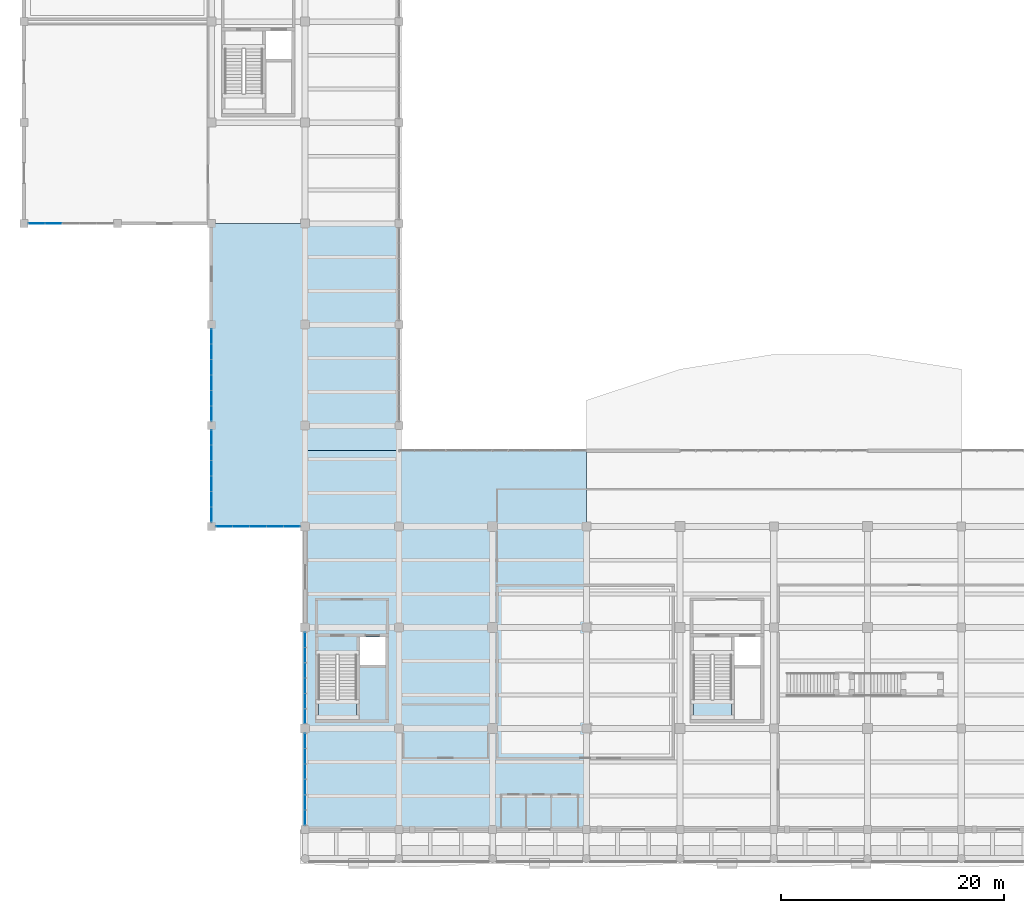
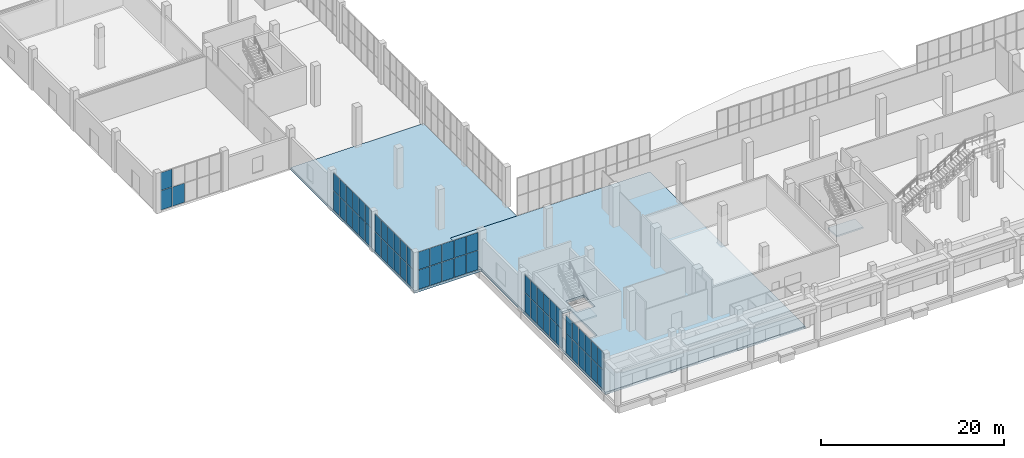
# One storey, part 62 of 91: 61 plates, 4 slabs, 8 elements without a shape of their own.
"""IFC4 building model written with IfcOpenShell, lengths in metres."""

from ifc_helpers import new_model, si_unit, direction, frame, origin, origin_2d, place, context, subcontext, project, spatial, polyline, rectangle, outline, extrude, material, layer, layer_set, type_object, element, aggregate, save


model = new_model("IFC4")

# Units and contexts
model_context = context("Model", 3, precision=1e-05, world=origin(), true_north=direction((0.0, 1.0)))
body_context = subcontext(model_context, "Body", "Model", "MODEL_VIEW")
ifc_project = project(units=[si_unit("LENGTHUNIT", "METRE"), si_unit("AREAUNIT", "SQUARE_METRE"), si_unit("VOLUMEUNIT", "CUBIC_METRE"), si_unit("PLANEANGLEUNIT", "RADIAN"), si_unit("MASSUNIT", "GRAM", prefix="KILO")], contexts=[model_context])

# Site, building, storey
site_placement = place(None, origin())
site = spatial("IfcSite", under=ifc_project, at=site_placement, CompositionType="ELEMENT")
building_placement = place(site_placement, origin())
building = spatial("IfcBuilding", under=site, at=building_placement, Name="Khurvash Pelagic Aquarium", CompositionType="ELEMENT")
storey_placement = place(building_placement, origin())
storey = spatial("IfcBuildingStorey", under=building, at=storey_placement, Name="L00", CompositionType="ELEMENT", Elevation=0.0)

# Curtain wall, plates
ifc_material_1 = material(Name="Anodised aluminium and low-E laminated glass", Category="aluminium")
curtain_wall_type_1 = type_object("IfcCurtainWallType", Name="CW-02", PredefinedType="USERDEFINED", material=ifc_material_1)
curtain_wall_1_placement = place(storey_placement, origin())
curtain_wall_1 = element("IfcCurtainWall", 1, at=curtain_wall_1_placement, inside=storey, type_object=curtain_wall_type_1, Name="L00 Facade Unitised Curtain Wall CW-02 0071", ObjectType="UNITISED CURTAIN WALL", PredefinedType="USERDEFINED")
ifc_material_2 = material(Name="Low-E laminated double glazing", Category="glass")
ifc_layer_1 = layer(ifc_material_2, 0.031982421875)
ifc_layer_set_1 = layer_set([ifc_layer_1], Name="Low-E laminated double glazing")
plate_type_1 = type_object("IfcPlateType", Name="CG-02", PredefinedType="CURTAIN_PANEL", material=ifc_layer_set_1)
plate_1_placement = place(storey_placement, frame((1.138916015625, 56.89990234375, 0.06005859375), z_axis=(0.0, 0.0, 1.0), x_axis=(1.0, 0.0, 0.0)))
plate_1 = element("IfcPlate", 2, at=plate_1_placement, type_object=plate_type_1, Name="CW-02 panel 1.1", PredefinedType="CURTAIN_PANEL", context=body_context, shape_type="SweptSolid", body=[
    extrude(rectangle(XDim=1.447998046875, YDim=0.031982421875, at=origin_2d()), origin(), (0.0, 0.0, 1.0), 2.556884765625),
])
plate_2_placement = place(storey_placement, frame((1.138916015625, 56.89990234375, 2.677001953125), z_axis=(0.0, 0.0, 1.0), x_axis=(1.0, 0.0, 0.0)))
plate_2 = element("IfcPlate", 3, at=plate_2_placement, type_object=plate_type_1, Name="CW-02 panel 1.2", PredefinedType="CURTAIN_PANEL", context=body_context, shape_type="SweptSolid", body=[
    extrude(rectangle(XDim=1.447998046875, YDim=0.031982421875, at=origin_2d()), origin(), (0.0, 0.0, 1.0), 2.35302734375),
])
plate_3_placement = place(storey_placement, frame((2.662109375, 56.89990234375, 0.06005859375), z_axis=(0.0, 0.0, 1.0), x_axis=(1.0, 0.0, 0.0)))
plate_3 = element("IfcPlate", 4, at=plate_3_placement, type_object=plate_type_1, Name="CW-02 panel 2.1", PredefinedType="CURTAIN_PANEL", context=body_context, shape_type="SweptSolid", body=[
    extrude(rectangle(XDim=1.47802734375, YDim=0.031982421875, at=origin_2d()), origin(), (0.0, 0.0, 1.0), 2.556884765625),
])
aggregate(curtain_wall_1, [plate_1, plate_2, plate_3])

curtain_wall_2_placement = place(storey_placement, origin())
curtain_wall_2 = element("IfcCurtainWall", 5, at=curtain_wall_2_placement, inside=storey, type_object=curtain_wall_type_1, Name="L00 Facade Unitised Curtain Wall CW-02 0074", ObjectType="UNITISED CURTAIN WALL", PredefinedType="USERDEFINED")
plate_4_placement = place(storey_placement, frame((17.93408203125, 29.75, 0.06005859375), z_axis=(0.0, 0.0, 1.0), x_axis=(1.0, 0.0, 0.0)))
plate_4 = element("IfcPlate", 6, at=plate_4_placement, type_object=plate_type_1, Name="CW-02 panel 1.1", PredefinedType="CURTAIN_PANEL", context=body_context, shape_type="SweptSolid", body=[
    extrude(rectangle(XDim=1.43798828125, YDim=0.031982421875, at=origin_2d()), origin(), (0.0, 0.0, 1.0), 2.556884765625),
])
plate_5_placement = place(storey_placement, frame((17.93408203125, 29.75, 2.677001953125), z_axis=(0.0, 0.0, 1.0), x_axis=(1.0, 0.0, 0.0)))
plate_5 = element("IfcPlate", 7, at=plate_5_placement, type_object=plate_type_1, Name="CW-02 panel 1.2", PredefinedType="CURTAIN_PANEL", context=body_context, shape_type="SweptSolid", body=[
    extrude(rectangle(XDim=1.43798828125, YDim=0.031982421875, at=origin_2d()), origin(), (0.0, 0.0, 1.0), 2.35302734375),
])
plate_6_placement = place(storey_placement, frame((19.447021484375, 29.75, 0.06005859375), z_axis=(0.0, 0.0, 1.0), x_axis=(1.0, 0.0, 0.0)))
plate_6 = element("IfcPlate", 8, at=plate_6_placement, type_object=plate_type_1, Name="CW-02 panel 2.1", PredefinedType="CURTAIN_PANEL", context=body_context, shape_type="SweptSolid", body=[
    extrude(rectangle(XDim=1.468017578125, YDim=0.031982421875, at=origin_2d()), origin(), (0.0, 0.0, 1.0), 2.556884765625),
])
plate_7_placement = place(storey_placement, frame((19.447021484375, 29.75, 2.677001953125), z_axis=(0.0, 0.0, 1.0), x_axis=(1.0, 0.0, 0.0)))
plate_7 = element("IfcPlate", 9, at=plate_7_placement, type_object=plate_type_1, Name="CW-02 panel 2.2", PredefinedType="CURTAIN_PANEL", context=body_context, shape_type="SweptSolid", body=[
    extrude(rectangle(XDim=1.468017578125, YDim=0.031982421875, at=origin_2d()), origin(), (0.0, 0.0, 1.0), 2.35302734375),
])
plate_8_placement = place(storey_placement, frame((20.97509765625, 29.75, 0.06005859375), z_axis=(0.0, 0.0, 1.0), x_axis=(1.0, 0.0, 0.0)))
plate_8 = element("IfcPlate", 10, at=plate_8_placement, type_object=plate_type_1, Name="CW-02 panel 3.1", PredefinedType="CURTAIN_PANEL", context=body_context, shape_type="SweptSolid", body=[
    extrude(rectangle(XDim=1.468017578125, YDim=0.031982421875, at=origin_2d()), origin(), (0.0, 0.0, 1.0), 2.556884765625),
])
plate_9_placement = place(storey_placement, frame((20.97509765625, 29.75, 2.677001953125), z_axis=(0.0, 0.0, 1.0), x_axis=(1.0, 0.0, 0.0)))
plate_9 = element("IfcPlate", 11, at=plate_9_placement, type_object=plate_type_1, Name="CW-02 panel 3.2", PredefinedType="CURTAIN_PANEL", context=body_context, shape_type="SweptSolid", body=[
    extrude(rectangle(XDim=1.468017578125, YDim=0.031982421875, at=origin_2d()), origin(), (0.0, 0.0, 1.0), 2.35302734375),
])
plate_10_placement = place(storey_placement, frame((22.5029296875, 29.75, 0.06005859375), z_axis=(0.0, 0.0, 1.0), x_axis=(1.0, 0.0, 0.0)))
plate_10 = element("IfcPlate", 12, at=plate_10_placement, type_object=plate_type_1, Name="CW-02 panel 4.1", PredefinedType="CURTAIN_PANEL", context=body_context, shape_type="SweptSolid", body=[
    extrude(rectangle(XDim=1.468017578125, YDim=0.031982421875, at=origin_2d()), origin(), (0.0, 0.0, 1.0), 2.556884765625),
])
plate_11_placement = place(storey_placement, frame((22.5029296875, 29.75, 2.677001953125), z_axis=(0.0, 0.0, 1.0), x_axis=(1.0, 0.0, 0.0)))
plate_11 = element("IfcPlate", 13, at=plate_11_placement, type_object=plate_type_1, Name="CW-02 panel 4.2", PredefinedType="CURTAIN_PANEL", context=body_context, shape_type="SweptSolid", body=[
    extrude(rectangle(XDim=1.468017578125, YDim=0.031982421875, at=origin_2d()), origin(), (0.0, 0.0, 1.0), 2.35302734375),
])
plate_12_placement = place(storey_placement, frame((24.01611328125, 29.75, 0.06005859375), z_axis=(0.0, 0.0, 1.0), x_axis=(1.0, 0.0, 0.0)))
plate_12 = element("IfcPlate", 14, at=plate_12_placement, type_object=plate_type_1, Name="CW-02 panel 5.1", PredefinedType="CURTAIN_PANEL", context=body_context, shape_type="SweptSolid", body=[
    extrude(rectangle(XDim=1.43798828125, YDim=0.031982421875, at=origin_2d()), origin(), (0.0, 0.0, 1.0), 2.556884765625),
])
plate_13_placement = place(storey_placement, frame((24.01611328125, 29.75, 2.677001953125), z_axis=(0.0, 0.0, 1.0), x_axis=(1.0, 0.0, 0.0)))
plate_13 = element("IfcPlate", 15, at=plate_13_placement, type_object=plate_type_1, Name="CW-02 panel 5.2", PredefinedType="CURTAIN_PANEL", context=body_context, shape_type="SweptSolid", body=[
    extrude(rectangle(XDim=1.43798828125, YDim=0.031982421875, at=origin_2d()), origin(), (0.0, 0.0, 1.0), 2.35302734375),
])
aggregate(curtain_wall_2, [plate_4, plate_5, plate_6, plate_7, plate_8, plate_9, plate_10, plate_11, plate_12, plate_13])

curtain_wall_type_2 = type_object("IfcCurtainWallType", Name="CW-05", PredefinedType="USERDEFINED", material=ifc_material_1)
curtain_wall_3_placement = place(storey_placement, origin())
curtain_wall_3 = element("IfcCurtainWall", 16, at=curtain_wall_3_placement, inside=storey, type_object=curtain_wall_type_2, Name="L00 Facade Unitised Curtain Wall CW-05 0057", ObjectType="UNITISED CURTAIN WALL", PredefinedType="USERDEFINED")
ifc_layer_2 = layer(ifc_material_2, 0.033935546875)
ifc_layer_set_2 = layer_set([ifc_layer_2], Name="Low-E laminated double glazing")
plate_type_2 = type_object("IfcPlateType", Name="CG-05", PredefinedType="CURTAIN_PANEL", material=ifc_layer_set_2)
plate_14_placement = place(storey_placement, frame((25.199951171875, 19.59326171875, 0.06005859375), z_axis=(0.0, 0.0, 1.0), x_axis=(0.0, -1.0, 0.0)))
plate_14 = element("IfcPlate", 17, at=plate_14_placement, type_object=plate_type_2, Name="CW-05 panel 1.1", PredefinedType="CURTAIN_PANEL", context=body_context, shape_type="SweptSolid", body=[
    extrude(rectangle(XDim=1.283447265625, YDim=0.033935546875, at=origin_2d()), origin(), (0.0, 0.0, 1.0), 2.556884765625),
])
plate_15_placement = place(storey_placement, frame((25.199951171875, 19.59326171875, 2.677001953125), z_axis=(0.0, 0.0, 1.0), x_axis=(0.0, -1.0, 0.0)))
plate_15 = element("IfcPlate", 18, at=plate_15_placement, type_object=plate_type_2, Name="CW-05 panel 1.2", PredefinedType="CURTAIN_PANEL", context=body_context, shape_type="SweptSolid", body=[
    extrude(rectangle(XDim=1.283447265625, YDim=0.033935546875, at=origin_2d()), origin(), (0.0, 0.0, 1.0), 2.35302734375),
])
plate_16_placement = place(storey_placement, frame((25.199951171875, 18.235107421875, 0.06005859375), z_axis=(0.0, 0.0, 1.0), x_axis=(0.0, -1.0, 0.0)))
plate_16 = element("IfcPlate", 19, at=plate_16_placement, type_object=plate_type_2, Name="CW-05 panel 2.1", PredefinedType="CURTAIN_PANEL", context=body_context, shape_type="SweptSolid", body=[
    extrude(rectangle(XDim=1.313232421875, YDim=0.033935546875, at=origin_2d()), origin(), (0.0, 0.0, 1.0), 2.556884765625),
])
plate_17_placement = place(storey_placement, frame((25.199951171875, 18.235107421875, 2.677001953125), z_axis=(0.0, 0.0, 1.0), x_axis=(0.0, -1.0, 0.0)))
plate_17 = element("IfcPlate", 20, at=plate_17_placement, type_object=plate_type_2, Name="CW-05 panel 2.2", PredefinedType="CURTAIN_PANEL", context=body_context, shape_type="SweptSolid", body=[
    extrude(rectangle(XDim=1.313232421875, YDim=0.033935546875, at=origin_2d()), origin(), (0.0, 0.0, 1.0), 2.35302734375),
])
plate_18_placement = place(storey_placement, frame((25.199951171875, 16.861572265625, 0.06005859375), z_axis=(0.0, 0.0, 1.0), x_axis=(0.0, -1.0, 0.0)))
plate_18 = element("IfcPlate", 21, at=plate_18_placement, type_object=plate_type_2, Name="CW-05 panel 3.1", PredefinedType="CURTAIN_PANEL", context=body_context, shape_type="SweptSolid", body=[
    extrude(rectangle(XDim=1.313232421875, YDim=0.033935546875, at=origin_2d()), origin(), (0.0, 0.0, 1.0), 2.556884765625),
])
plate_19_placement = place(storey_placement, frame((25.199951171875, 16.861572265625, 2.677001953125), z_axis=(0.0, 0.0, 1.0), x_axis=(0.0, -1.0, 0.0)))
plate_19 = element("IfcPlate", 22, at=plate_19_placement, type_object=plate_type_2, Name="CW-05 panel 3.2", PredefinedType="CURTAIN_PANEL", context=body_context, shape_type="SweptSolid", body=[
    extrude(rectangle(XDim=1.313232421875, YDim=0.033935546875, at=origin_2d()), origin(), (0.0, 0.0, 1.0), 2.35302734375),
])
plate_20_placement = place(storey_placement, frame((25.199951171875, 15.48828125, 0.06005859375), z_axis=(0.0, 0.0, 1.0), x_axis=(0.0, -1.0, 0.0)))
plate_20 = element("IfcPlate", 23, at=plate_20_placement, type_object=plate_type_2, Name="CW-05 panel 4.1", PredefinedType="CURTAIN_PANEL", context=body_context, shape_type="SweptSolid", body=[
    extrude(rectangle(XDim=1.313232421875, YDim=0.033935546875, at=origin_2d()), origin(), (0.0, 0.0, 1.0), 2.556884765625),
])
plate_21_placement = place(storey_placement, frame((25.199951171875, 15.48828125, 2.677001953125), z_axis=(0.0, 0.0, 1.0), x_axis=(0.0, -1.0, 0.0)))
plate_21 = element("IfcPlate", 24, at=plate_21_placement, type_object=plate_type_2, Name="CW-05 panel 4.2", PredefinedType="CURTAIN_PANEL", context=body_context, shape_type="SweptSolid", body=[
    extrude(rectangle(XDim=1.313232421875, YDim=0.033935546875, at=origin_2d()), origin(), (0.0, 0.0, 1.0), 2.35302734375),
])
plate_22_placement = place(storey_placement, frame((25.199951171875, 14.114990234375, 0.06005859375), z_axis=(0.0, 0.0, 1.0), x_axis=(0.0, -1.0, 0.0)))
plate_22 = element("IfcPlate", 25, at=plate_22_placement, type_object=plate_type_2, Name="CW-05 panel 5.1", PredefinedType="CURTAIN_PANEL", context=body_context, shape_type="SweptSolid", body=[
    extrude(rectangle(XDim=1.313232421875, YDim=0.033935546875, at=origin_2d()), origin(), (0.0, 0.0, 1.0), 2.556884765625),
])
plate_23_placement = place(storey_placement, frame((25.199951171875, 14.114990234375, 2.677001953125), z_axis=(0.0, 0.0, 1.0), x_axis=(0.0, -1.0, 0.0)))
plate_23 = element("IfcPlate", 26, at=plate_23_placement, type_object=plate_type_2, Name="CW-05 panel 5.2", PredefinedType="CURTAIN_PANEL", context=body_context, shape_type="SweptSolid", body=[
    extrude(rectangle(XDim=1.313232421875, YDim=0.033935546875, at=origin_2d()), origin(), (0.0, 0.0, 1.0), 2.35302734375),
])
plate_24_placement = place(storey_placement, frame((25.199951171875, 12.756591796875, 0.06005859375), z_axis=(0.0, 0.0, 1.0), x_axis=(0.0, -1.0, 0.0)))
plate_24 = element("IfcPlate", 27, at=plate_24_placement, type_object=plate_type_2, Name="CW-05 panel 6.1", PredefinedType="CURTAIN_PANEL", context=body_context, shape_type="SweptSolid", body=[
    extrude(rectangle(XDim=1.283447265625, YDim=0.033935546875, at=origin_2d()), origin(), (0.0, 0.0, 1.0), 2.556884765625),
])
plate_25_placement = place(storey_placement, frame((25.199951171875, 12.756591796875, 2.677001953125), z_axis=(0.0, 0.0, 1.0), x_axis=(0.0, -1.0, 0.0)))
plate_25 = element("IfcPlate", 28, at=plate_25_placement, type_object=plate_type_2, Name="CW-05 panel 6.2", PredefinedType="CURTAIN_PANEL", context=body_context, shape_type="SweptSolid", body=[
    extrude(rectangle(XDim=1.283447265625, YDim=0.033935546875, at=origin_2d()), origin(), (0.0, 0.0, 1.0), 2.35302734375),
])
aggregate(curtain_wall_3, [plate_14, plate_15, plate_16, plate_17, plate_18, plate_19, plate_20, plate_21, plate_22, plate_23, plate_24, plate_25])

curtain_wall_4_placement = place(storey_placement, origin())
curtain_wall_4 = element("IfcCurtainWall", 29, at=curtain_wall_4_placement, inside=storey, type_object=curtain_wall_type_2, Name="L00 Facade Unitised Curtain Wall CW-05 0058", ObjectType="UNITISED CURTAIN WALL", PredefinedType="USERDEFINED")
plate_26_placement = place(storey_placement, frame((25.199951171875, 10.5390625, 0.06005859375), z_axis=(0.0, 0.0, 1.0), x_axis=(0.0, -1.0, 0.0)))
plate_26 = element("IfcPlate", 30, at=plate_26_placement, type_object=plate_type_2, Name="CW-05 panel 1.1", PredefinedType="CURTAIN_PANEL", context=body_context, shape_type="SweptSolid", body=[
    extrude(rectangle(XDim=1.291748046875, YDim=0.033935546875, at=origin_2d()), origin(), (0.0, 0.0, 1.0), 2.556884765625),
])
plate_27_placement = place(storey_placement, frame((25.199951171875, 10.5390625, 2.677001953125), z_axis=(0.0, 0.0, 1.0), x_axis=(0.0, -1.0, 0.0)))
plate_27 = element("IfcPlate", 31, at=plate_27_placement, type_object=plate_type_2, Name="CW-05 panel 1.2", PredefinedType="CURTAIN_PANEL", context=body_context, shape_type="SweptSolid", body=[
    extrude(rectangle(XDim=1.291748046875, YDim=0.033935546875, at=origin_2d()), origin(), (0.0, 0.0, 1.0), 2.35302734375),
])
plate_28_placement = place(storey_placement, frame((25.199951171875, 9.172607421875, 0.06005859375), z_axis=(0.0, 0.0, 1.0), x_axis=(0.0, -1.0, 0.0)))
plate_28 = element("IfcPlate", 32, at=plate_28_placement, type_object=plate_type_2, Name="CW-05 panel 2.1", PredefinedType="CURTAIN_PANEL", context=body_context, shape_type="SweptSolid", body=[
    extrude(rectangle(XDim=1.32177734375, YDim=0.033935546875, at=origin_2d()), origin(), (0.0, 0.0, 1.0), 2.556884765625),
])
plate_29_placement = place(storey_placement, frame((25.199951171875, 9.172607421875, 2.677001953125), z_axis=(0.0, 0.0, 1.0), x_axis=(0.0, -1.0, 0.0)))
plate_29 = element("IfcPlate", 33, at=plate_29_placement, type_object=plate_type_2, Name="CW-05 panel 2.2", PredefinedType="CURTAIN_PANEL", context=body_context, shape_type="SweptSolid", body=[
    extrude(rectangle(XDim=1.32177734375, YDim=0.033935546875, at=origin_2d()), origin(), (0.0, 0.0, 1.0), 2.35302734375),
])
plate_30_placement = place(storey_placement, frame((25.199951171875, 7.790771484375, 0.06005859375), z_axis=(0.0, 0.0, 1.0), x_axis=(0.0, -1.0, 0.0)))
plate_30 = element("IfcPlate", 34, at=plate_30_placement, type_object=plate_type_2, Name="CW-05 panel 3.1", PredefinedType="CURTAIN_PANEL", context=body_context, shape_type="SweptSolid", body=[
    extrude(rectangle(XDim=1.32177734375, YDim=0.033935546875, at=origin_2d()), origin(), (0.0, 0.0, 1.0), 2.556884765625),
])
plate_31_placement = place(storey_placement, frame((25.199951171875, 7.790771484375, 2.677001953125), z_axis=(0.0, 0.0, 1.0), x_axis=(0.0, -1.0, 0.0)))
plate_31 = element("IfcPlate", 35, at=plate_31_placement, type_object=plate_type_2, Name="CW-05 panel 3.2", PredefinedType="CURTAIN_PANEL", context=body_context, shape_type="SweptSolid", body=[
    extrude(rectangle(XDim=1.32177734375, YDim=0.033935546875, at=origin_2d()), origin(), (0.0, 0.0, 1.0), 2.35302734375),
])
plate_32_placement = place(storey_placement, frame((25.199951171875, 6.4091796875, 0.06005859375), z_axis=(0.0, 0.0, 1.0), x_axis=(0.0, -1.0, 0.0)))
plate_32 = element("IfcPlate", 36, at=plate_32_placement, type_object=plate_type_2, Name="CW-05 panel 4.1", PredefinedType="CURTAIN_PANEL", context=body_context, shape_type="SweptSolid", body=[
    extrude(rectangle(XDim=1.32177734375, YDim=0.033935546875, at=origin_2d()), origin(), (0.0, 0.0, 1.0), 2.556884765625),
])
plate_33_placement = place(storey_placement, frame((25.199951171875, 6.4091796875, 2.677001953125), z_axis=(0.0, 0.0, 1.0), x_axis=(0.0, -1.0, 0.0)))
plate_33 = element("IfcPlate", 37, at=plate_33_placement, type_object=plate_type_2, Name="CW-05 panel 4.2", PredefinedType="CURTAIN_PANEL", context=body_context, shape_type="SweptSolid", body=[
    extrude(rectangle(XDim=1.32177734375, YDim=0.033935546875, at=origin_2d()), origin(), (0.0, 0.0, 1.0), 2.35302734375),
])
plate_34_placement = place(storey_placement, frame((25.199951171875, 5.027587890625, 0.06005859375), z_axis=(0.0, 0.0, 1.0), x_axis=(0.0, -1.0, 0.0)))
plate_34 = element("IfcPlate", 38, at=plate_34_placement, type_object=plate_type_2, Name="CW-05 panel 5.1", PredefinedType="CURTAIN_PANEL", context=body_context, shape_type="SweptSolid", body=[
    extrude(rectangle(XDim=1.32177734375, YDim=0.033935546875, at=origin_2d()), origin(), (0.0, 0.0, 1.0), 2.556884765625),
])
plate_35_placement = place(storey_placement, frame((25.199951171875, 5.027587890625, 2.677001953125), z_axis=(0.0, 0.0, 1.0), x_axis=(0.0, -1.0, 0.0)))
plate_35 = element("IfcPlate", 39, at=plate_35_placement, type_object=plate_type_2, Name="CW-05 panel 5.2", PredefinedType="CURTAIN_PANEL", context=body_context, shape_type="SweptSolid", body=[
    extrude(rectangle(XDim=1.32177734375, YDim=0.033935546875, at=origin_2d()), origin(), (0.0, 0.0, 1.0), 2.35302734375),
])
plate_36_placement = place(storey_placement, frame((25.199951171875, 3.660888671875, 0.06005859375), z_axis=(0.0, 0.0, 1.0), x_axis=(0.0, -1.0, 0.0)))
plate_36 = element("IfcPlate", 40, at=plate_36_placement, type_object=plate_type_2, Name="CW-05 panel 6.1", PredefinedType="CURTAIN_PANEL", context=body_context, shape_type="SweptSolid", body=[
    extrude(rectangle(XDim=1.291748046875, YDim=0.033935546875, at=origin_2d()), origin(), (0.0, 0.0, 1.0), 2.556884765625),
])
plate_37_placement = place(storey_placement, frame((25.199951171875, 3.660888671875, 2.677001953125), z_axis=(0.0, 0.0, 1.0), x_axis=(0.0, -1.0, 0.0)))
plate_37 = element("IfcPlate", 41, at=plate_37_placement, type_object=plate_type_2, Name="CW-05 panel 6.2", PredefinedType="CURTAIN_PANEL", context=body_context, shape_type="SweptSolid", body=[
    extrude(rectangle(XDim=1.291748046875, YDim=0.033935546875, at=origin_2d()), origin(), (0.0, 0.0, 1.0), 2.35302734375),
])
aggregate(curtain_wall_4, [plate_26, plate_27, plate_28, plate_29, plate_30, plate_31, plate_32, plate_33, plate_34, plate_35, plate_36, plate_37])

curtain_wall_5_placement = place(storey_placement, origin())
curtain_wall_5 = element("IfcCurtainWall", 42, at=curtain_wall_5_placement, inside=storey, type_object=curtain_wall_type_2, Name="L00 Facade Unitised Curtain Wall CW-05 0072", ObjectType="UNITISED CURTAIN WALL", PredefinedType="USERDEFINED")
plate_38_placement = place(storey_placement, frame((16.800048828125, 46.784912109375, 0.06005859375), z_axis=(0.0, 0.0, 1.0), x_axis=(0.0, -1.0, 0.0)))
plate_38 = element("IfcPlate", 43, at=plate_38_placement, type_object=plate_type_2, Name="CW-05 panel 1.1", PredefinedType="CURTAIN_PANEL", context=body_context, shape_type="SweptSolid", body=[
    extrude(rectangle(XDim=1.300048828125, YDim=0.033935546875, at=origin_2d()), origin(), (0.0, 0.0, 1.0), 2.556884765625),
])
plate_39_placement = place(storey_placement, frame((16.800048828125, 46.784912109375, 2.677001953125), z_axis=(0.0, 0.0, 1.0), x_axis=(0.0, -1.0, 0.0)))
plate_39 = element("IfcPlate", 44, at=plate_39_placement, type_object=plate_type_2, Name="CW-05 panel 1.2", PredefinedType="CURTAIN_PANEL", context=body_context, shape_type="SweptSolid", body=[
    extrude(rectangle(XDim=1.300048828125, YDim=0.033935546875, at=origin_2d()), origin(), (0.0, 0.0, 1.0), 2.35302734375),
])
plate_40_placement = place(storey_placement, frame((16.800048828125, 45.409912109375, 0.06005859375), z_axis=(0.0, 0.0, 1.0), x_axis=(0.0, -1.0, 0.0)))
plate_40 = element("IfcPlate", 45, at=plate_40_placement, type_object=plate_type_2, Name="CW-05 panel 2.1", PredefinedType="CURTAIN_PANEL", context=body_context, shape_type="SweptSolid", body=[
    extrude(rectangle(XDim=1.330078125, YDim=0.033935546875, at=origin_2d()), origin(), (0.0, 0.0, 1.0), 2.556884765625),
])
plate_41_placement = place(storey_placement, frame((16.800048828125, 45.409912109375, 2.677001953125), z_axis=(0.0, 0.0, 1.0), x_axis=(0.0, -1.0, 0.0)))
plate_41 = element("IfcPlate", 46, at=plate_41_placement, type_object=plate_type_2, Name="CW-05 panel 2.2", PredefinedType="CURTAIN_PANEL", context=body_context, shape_type="SweptSolid", body=[
    extrude(rectangle(XDim=1.330078125, YDim=0.033935546875, at=origin_2d()), origin(), (0.0, 0.0, 1.0), 2.35302734375),
])
plate_42_placement = place(storey_placement, frame((16.800048828125, 44.02001953125, 0.06005859375), z_axis=(0.0, 0.0, 1.0), x_axis=(0.0, -1.0, 0.0)))
plate_42 = element("IfcPlate", 47, at=plate_42_placement, type_object=plate_type_2, Name="CW-05 panel 3.1", PredefinedType="CURTAIN_PANEL", context=body_context, shape_type="SweptSolid", body=[
    extrude(rectangle(XDim=1.330078125, YDim=0.033935546875, at=origin_2d()), origin(), (0.0, 0.0, 1.0), 2.556884765625),
])
plate_43_placement = place(storey_placement, frame((16.800048828125, 44.02001953125, 2.677001953125), z_axis=(0.0, 0.0, 1.0), x_axis=(0.0, -1.0, 0.0)))
plate_43 = element("IfcPlate", 48, at=plate_43_placement, type_object=plate_type_2, Name="CW-05 panel 3.2", PredefinedType="CURTAIN_PANEL", context=body_context, shape_type="SweptSolid", body=[
    extrude(rectangle(XDim=1.330078125, YDim=0.033935546875, at=origin_2d()), origin(), (0.0, 0.0, 1.0), 2.35302734375),
])
plate_44_placement = place(storey_placement, frame((16.800048828125, 42.6298828125, 0.06005859375), z_axis=(0.0, 0.0, 1.0), x_axis=(0.0, -1.0, 0.0)))
plate_44 = element("IfcPlate", 49, at=plate_44_placement, type_object=plate_type_2, Name="CW-05 panel 4.1", PredefinedType="CURTAIN_PANEL", context=body_context, shape_type="SweptSolid", body=[
    extrude(rectangle(XDim=1.330078125, YDim=0.033935546875, at=origin_2d()), origin(), (0.0, 0.0, 1.0), 2.556884765625),
])
plate_45_placement = place(storey_placement, frame((16.800048828125, 42.6298828125, 2.677001953125), z_axis=(0.0, 0.0, 1.0), x_axis=(0.0, -1.0, 0.0)))
plate_45 = element("IfcPlate", 50, at=plate_45_placement, type_object=plate_type_2, Name="CW-05 panel 4.2", PredefinedType="CURTAIN_PANEL", context=body_context, shape_type="SweptSolid", body=[
    extrude(rectangle(XDim=1.330078125, YDim=0.033935546875, at=origin_2d()), origin(), (0.0, 0.0, 1.0), 2.35302734375),
])
plate_46_placement = place(storey_placement, frame((16.800048828125, 41.239990234375, 0.06005859375), z_axis=(0.0, 0.0, 1.0), x_axis=(0.0, -1.0, 0.0)))
plate_46 = element("IfcPlate", 51, at=plate_46_placement, type_object=plate_type_2, Name="CW-05 panel 5.1", PredefinedType="CURTAIN_PANEL", context=body_context, shape_type="SweptSolid", body=[
    extrude(rectangle(XDim=1.330078125, YDim=0.033935546875, at=origin_2d()), origin(), (0.0, 0.0, 1.0), 2.556884765625),
])
plate_47_placement = place(storey_placement, frame((16.800048828125, 41.239990234375, 2.677001953125), z_axis=(0.0, 0.0, 1.0), x_axis=(0.0, -1.0, 0.0)))
plate_47 = element("IfcPlate", 52, at=plate_47_placement, type_object=plate_type_2, Name="CW-05 panel 5.2", PredefinedType="CURTAIN_PANEL", context=body_context, shape_type="SweptSolid", body=[
    extrude(rectangle(XDim=1.330078125, YDim=0.033935546875, at=origin_2d()), origin(), (0.0, 0.0, 1.0), 2.35302734375),
])
plate_48_placement = place(storey_placement, frame((16.800048828125, 39.864990234375, 0.06005859375), z_axis=(0.0, 0.0, 1.0), x_axis=(0.0, -1.0, 0.0)))
plate_48 = element("IfcPlate", 53, at=plate_48_placement, type_object=plate_type_2, Name="CW-05 panel 6.1", PredefinedType="CURTAIN_PANEL", context=body_context, shape_type="SweptSolid", body=[
    extrude(rectangle(XDim=1.300048828125, YDim=0.033935546875, at=origin_2d()), origin(), (0.0, 0.0, 1.0), 2.556884765625),
])
plate_49_placement = place(storey_placement, frame((16.800048828125, 39.864990234375, 2.677001953125), z_axis=(0.0, 0.0, 1.0), x_axis=(0.0, -1.0, 0.0)))
plate_49 = element("IfcPlate", 54, at=plate_49_placement, type_object=plate_type_2, Name="CW-05 panel 6.2", PredefinedType="CURTAIN_PANEL", context=body_context, shape_type="SweptSolid", body=[
    extrude(rectangle(XDim=1.300048828125, YDim=0.033935546875, at=origin_2d()), origin(), (0.0, 0.0, 1.0), 2.35302734375),
])
aggregate(curtain_wall_5, [plate_38, plate_39, plate_40, plate_41, plate_42, plate_43, plate_44, plate_45, plate_46, plate_47, plate_48, plate_49])

curtain_wall_6_placement = place(storey_placement, origin())
curtain_wall_6 = element("IfcCurtainWall", 55, at=curtain_wall_6_placement, inside=storey, type_object=curtain_wall_type_2, Name="L00 Facade Unitised Curtain Wall CW-05 0073", ObjectType="UNITISED CURTAIN WALL", PredefinedType="USERDEFINED")
plate_50_placement = place(storey_placement, frame((16.800048828125, 37.735107421875, 0.06005859375), z_axis=(0.0, 0.0, 1.0), x_axis=(0.0, -1.0, 0.0)))
plate_50 = element("IfcPlate", 56, at=plate_50_placement, type_object=plate_type_2, Name="CW-05 panel 1.1", PredefinedType="CURTAIN_PANEL", context=body_context, shape_type="SweptSolid", body=[
    extrude(rectangle(XDim=1.300048828125, YDim=0.033935546875, at=origin_2d()), origin(), (0.0, 0.0, 1.0), 2.556884765625),
])
plate_51_placement = place(storey_placement, frame((16.800048828125, 37.735107421875, 2.677001953125), z_axis=(0.0, 0.0, 1.0), x_axis=(0.0, -1.0, 0.0)))
plate_51 = element("IfcPlate", 57, at=plate_51_placement, type_object=plate_type_2, Name="CW-05 panel 1.2", PredefinedType="CURTAIN_PANEL", context=body_context, shape_type="SweptSolid", body=[
    extrude(rectangle(XDim=1.300048828125, YDim=0.033935546875, at=origin_2d()), origin(), (0.0, 0.0, 1.0), 2.35302734375),
])
plate_52_placement = place(storey_placement, frame((16.800048828125, 36.360107421875, 0.06005859375), z_axis=(0.0, 0.0, 1.0), x_axis=(0.0, -1.0, 0.0)))
plate_52 = element("IfcPlate", 58, at=plate_52_placement, type_object=plate_type_2, Name="CW-05 panel 2.1", PredefinedType="CURTAIN_PANEL", context=body_context, shape_type="SweptSolid", body=[
    extrude(rectangle(XDim=1.330078125, YDim=0.033935546875, at=origin_2d()), origin(), (0.0, 0.0, 1.0), 2.556884765625),
])
plate_53_placement = place(storey_placement, frame((16.800048828125, 36.360107421875, 2.677001953125), z_axis=(0.0, 0.0, 1.0), x_axis=(0.0, -1.0, 0.0)))
plate_53 = element("IfcPlate", 59, at=plate_53_placement, type_object=plate_type_2, Name="CW-05 panel 2.2", PredefinedType="CURTAIN_PANEL", context=body_context, shape_type="SweptSolid", body=[
    extrude(rectangle(XDim=1.330078125, YDim=0.033935546875, at=origin_2d()), origin(), (0.0, 0.0, 1.0), 2.35302734375),
])
plate_54_placement = place(storey_placement, frame((16.800048828125, 34.969970703125, 0.06005859375), z_axis=(0.0, 0.0, 1.0), x_axis=(0.0, -1.0, 0.0)))
plate_54 = element("IfcPlate", 60, at=plate_54_placement, type_object=plate_type_2, Name="CW-05 panel 3.1", PredefinedType="CURTAIN_PANEL", context=body_context, shape_type="SweptSolid", body=[
    extrude(rectangle(XDim=1.330078125, YDim=0.033935546875, at=origin_2d()), origin(), (0.0, 0.0, 1.0), 2.556884765625),
])
plate_55_placement = place(storey_placement, frame((16.800048828125, 34.969970703125, 2.677001953125), z_axis=(0.0, 0.0, 1.0), x_axis=(0.0, -1.0, 0.0)))
plate_55 = element("IfcPlate", 61, at=plate_55_placement, type_object=plate_type_2, Name="CW-05 panel 3.2", PredefinedType="CURTAIN_PANEL", context=body_context, shape_type="SweptSolid", body=[
    extrude(rectangle(XDim=1.330078125, YDim=0.033935546875, at=origin_2d()), origin(), (0.0, 0.0, 1.0), 2.35302734375),
])
plate_56_placement = place(storey_placement, frame((16.800048828125, 33.580078125, 0.06005859375), z_axis=(0.0, 0.0, 1.0), x_axis=(0.0, -1.0, 0.0)))
plate_56 = element("IfcPlate", 62, at=plate_56_placement, type_object=plate_type_2, Name="CW-05 panel 4.1", PredefinedType="CURTAIN_PANEL", context=body_context, shape_type="SweptSolid", body=[
    extrude(rectangle(XDim=1.330078125, YDim=0.033935546875, at=origin_2d()), origin(), (0.0, 0.0, 1.0), 2.556884765625),
])
plate_57_placement = place(storey_placement, frame((16.800048828125, 33.580078125, 2.677001953125), z_axis=(0.0, 0.0, 1.0), x_axis=(0.0, -1.0, 0.0)))
plate_57 = element("IfcPlate", 63, at=plate_57_placement, type_object=plate_type_2, Name="CW-05 panel 4.2", PredefinedType="CURTAIN_PANEL", context=body_context, shape_type="SweptSolid", body=[
    extrude(rectangle(XDim=1.330078125, YDim=0.033935546875, at=origin_2d()), origin(), (0.0, 0.0, 1.0), 2.35302734375),
])
plate_58_placement = place(storey_placement, frame((16.800048828125, 32.18994140625, 0.06005859375), z_axis=(0.0, 0.0, 1.0), x_axis=(0.0, -1.0, 0.0)))
plate_58 = element("IfcPlate", 64, at=plate_58_placement, type_object=plate_type_2, Name="CW-05 panel 5.1", PredefinedType="CURTAIN_PANEL", context=body_context, shape_type="SweptSolid", body=[
    extrude(rectangle(XDim=1.330078125, YDim=0.033935546875, at=origin_2d()), origin(), (0.0, 0.0, 1.0), 2.556884765625),
])
plate_59_placement = place(storey_placement, frame((16.800048828125, 32.18994140625, 2.677001953125), z_axis=(0.0, 0.0, 1.0), x_axis=(0.0, -1.0, 0.0)))
plate_59 = element("IfcPlate", 65, at=plate_59_placement, type_object=plate_type_2, Name="CW-05 panel 5.2", PredefinedType="CURTAIN_PANEL", context=body_context, shape_type="SweptSolid", body=[
    extrude(rectangle(XDim=1.330078125, YDim=0.033935546875, at=origin_2d()), origin(), (0.0, 0.0, 1.0), 2.35302734375),
])
plate_60_placement = place(storey_placement, frame((16.800048828125, 30.81494140625, 0.06005859375), z_axis=(0.0, 0.0, 1.0), x_axis=(0.0, -1.0, 0.0)))
plate_60 = element("IfcPlate", 66, at=plate_60_placement, type_object=plate_type_2, Name="CW-05 panel 6.1", PredefinedType="CURTAIN_PANEL", context=body_context, shape_type="SweptSolid", body=[
    extrude(rectangle(XDim=1.300048828125, YDim=0.033935546875, at=origin_2d()), origin(), (0.0, 0.0, 1.0), 2.556884765625),
])
plate_61_placement = place(storey_placement, frame((16.800048828125, 30.81494140625, 2.677001953125), z_axis=(0.0, 0.0, 1.0), x_axis=(0.0, -1.0, 0.0)))
plate_61 = element("IfcPlate", 67, at=plate_61_placement, type_object=plate_type_2, Name="CW-05 panel 6.2", PredefinedType="CURTAIN_PANEL", context=body_context, shape_type="SweptSolid", body=[
    extrude(rectangle(XDim=1.300048828125, YDim=0.033935546875, at=origin_2d()), origin(), (0.0, 0.0, 1.0), 2.35302734375),
])
aggregate(curtain_wall_6, [plate_50, plate_51, plate_52, plate_53, plate_54, plate_55, plate_56, plate_57, plate_58, plate_59, plate_60, plate_61])

# Slabs
ifc_material_3 = material(Name="Concrete C40/50", Category="concrete")
ifc_layer_3 = layer(ifc_material_3, 0.320068359375)
ifc_layer_set_3 = layer_set([ifc_layer_3], Name="Concrete C40/50")
slab_type_1 = type_object("IfcSlabType", Name="FS-320", PredefinedType="FLOOR", material=ifc_layer_set_3)
slab_1_placement = place(storey_placement, frame((0.0, 0.0, -0.320068359375)))
element("IfcSlab", 68, at=slab_1_placement, inside=storey, type_object=slab_type_1, Name="L00 Structural Floor Slab FS-320 V3_SOUTH.1", PredefinedType="FLOOR", context=body_context, shape_type="SweptSolid", body=[
    extrude(outline(polyline([(25.199951171875, 2.60009765625), (50.39990234375, 2.60009765625), (50.39990234375, 36.550048828125), (25.199951171875, 36.550048828125), (25.199951171875, 2.60009765625)]), holes=[polyline([(28.0, 18.25), (29.800048828125, 18.25), (29.800048828125, 12.449951171875), (26.39990234375, 12.449951171875), (26.39990234375, 17.8701171875), (28.0, 17.8701171875), (28.0, 18.25)]), polyline([(32.39990234375, 17.35009765625), (30.10009765625, 17.35009765625), (30.10009765625, 19.85009765625), (32.39990234375, 19.85009765625), (32.39990234375, 17.35009765625)])]), origin(), (0.0, 0.0, 1.0), 0.320068359375),
])
slab_2_placement = place(storey_placement, frame((0.0, 0.0, -0.320068359375)))
element("IfcSlab", 69, at=slab_2_placement, inside=storey, type_object=slab_type_1, Name="L00 Structural Floor Slab FS-320 V4_WLINK.1", PredefinedType="FLOOR", context=body_context, shape_type="SweptSolid", body=[
    extrude(outline(polyline([(33.60009765625, 56.89990234375), (16.800048828125, 56.89990234375), (16.800048828125, 29.75), (25.199951171875, 29.75), (25.199951171875, 36.550048828125), (33.60009765625, 36.550048828125), (33.60009765625, 56.89990234375)])), origin(), (0.0, 0.0, 1.0), 0.320068359375),
])

# Stair, slab
ifc_material_4 = material(Name="Concrete C35/45", Category="concrete")
stair_type_1 = type_object("IfcStairType", Name="ST-01", PredefinedType="HALF_TURN_STAIR", material=ifc_material_4)
stair_1_placement = place(storey_placement, origin())
stair_1 = element("IfcStair", 70, at=stair_1_placement, inside=storey, type_object=stair_type_1, Name="L00 Protected Exit Stair ST-01", PredefinedType="HALF_TURN_STAIR")
ifc_layer_4 = layer(ifc_material_4, 0.199951171875)
ifc_layer_set_4 = layer_set([ifc_layer_4], Name="Concrete C35/45")
slab_type_2 = type_object("IfcSlabType", Name="SL-LND-200", PredefinedType="LANDING", material=ifc_layer_set_4)
slab_3_placement = place(storey_placement, frame((0.0, 0.0, 2.5)))
slab_3 = element("IfcSlab", 71, at=slab_3_placement, type_object=slab_type_2, Name="ST-01 landing 1", PredefinedType="LANDING", context=body_context, shape_type="SweptSolid", body=[
    extrude(outline(polyline([(26.39990234375, 14.260009765625), (26.39990234375, 12.449951171875), (29.800048828125, 12.449951171875), (29.800048828125, 14.260009765625), (26.39990234375, 14.260009765625)])), origin(), (0.0, 0.0, 1.0), 0.199951171875),
])
aggregate(stair_1, [slab_3])

stair_type_2 = type_object("IfcStairType", Name="ST-02", PredefinedType="HALF_TURN_STAIR", material=ifc_material_4)
stair_2_placement = place(storey_placement, origin())
stair_2 = element("IfcStair", 72, at=stair_2_placement, inside=storey, type_object=stair_type_2, Name="L00 Protected Exit Stair ST-02", PredefinedType="HALF_TURN_STAIR")
slab_4_placement = place(storey_placement, frame((0.0, 0.0, 2.5)))
slab_4 = element("IfcSlab", 73, at=slab_4_placement, type_object=slab_type_2, Name="ST-02 landing 1", PredefinedType="LANDING", context=body_context, shape_type="SweptSolid", body=[
    extrude(outline(polyline([(60.0, 14.260009765625), (60.0, 12.449951171875), (63.39990234375, 12.449951171875), (63.39990234375, 14.260009765625), (60.0, 14.260009765625)])), origin(), (0.0, 0.0, 1.0), 0.199951171875),
])
aggregate(stair_2, [slab_4])

save(model, "model.ifc")
